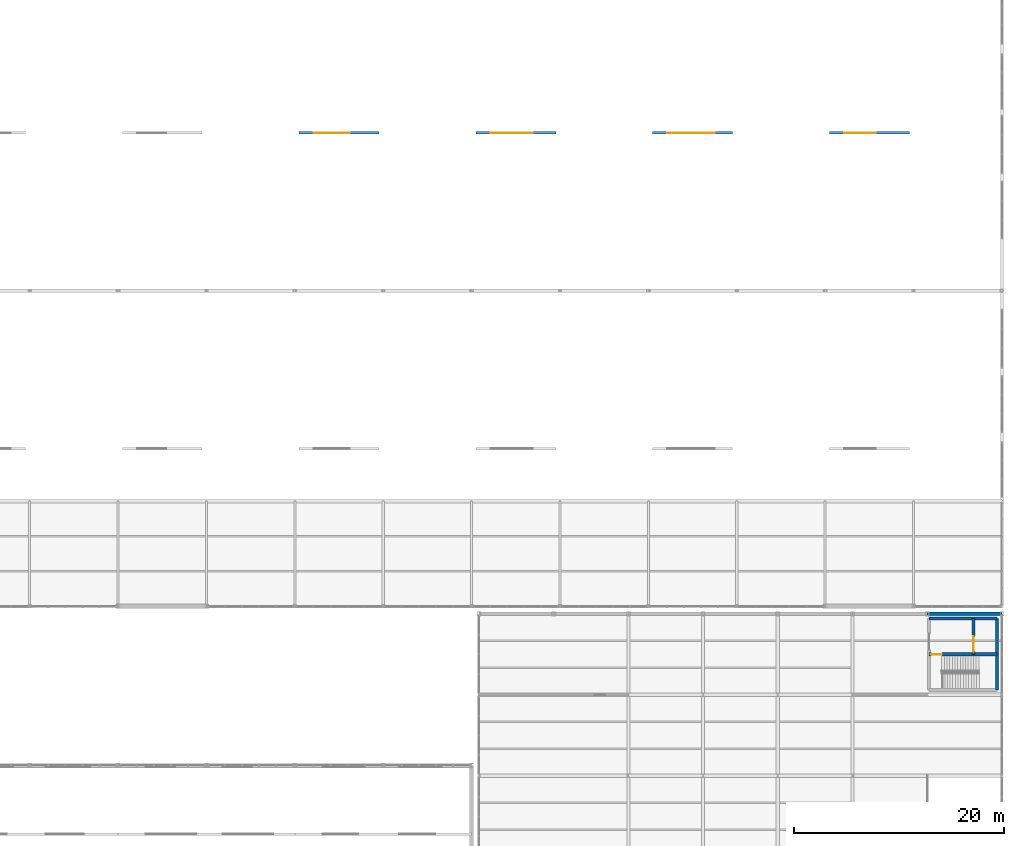
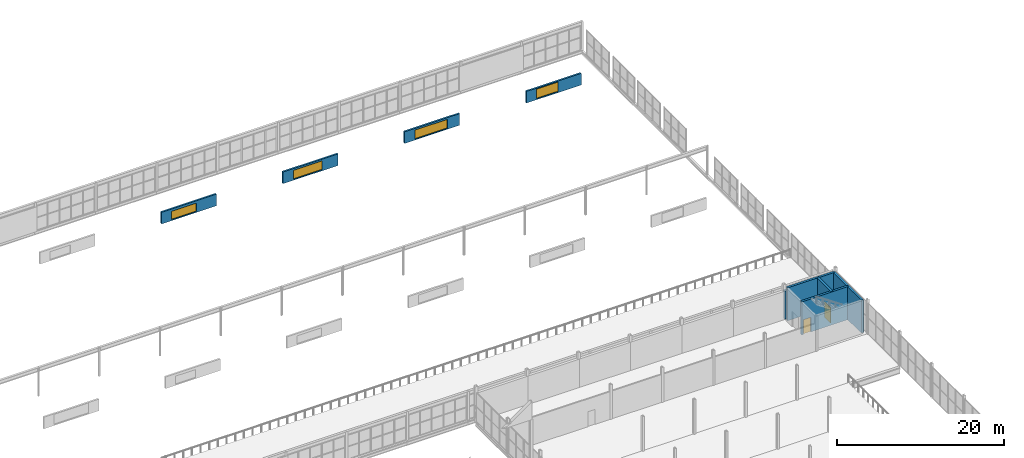
# One storey, part 208 of 218: 9 walls, 4 windows, 2 doors, 6 openings.
"""IFC4 building model written with IfcOpenShell, lengths in metres."""

from ifc_helpers import new_model, si_unit, direction, frame, frame_2d, origin, place, context, subcontext, project, spatial, rectangle, extrude, material, layer, layer_set, type_object, element, fill, save


model = new_model("IFC4")

# Units and contexts
model_context = context("Model", 3, precision=1e-05, world=origin(), true_north=direction((0.0, 1.0)))
body_context = subcontext(model_context, "Body", "Model", "MODEL_VIEW")
ifc_project = project(units=[si_unit("LENGTHUNIT", "METRE"), si_unit("AREAUNIT", "SQUARE_METRE"), si_unit("VOLUMEUNIT", "CUBIC_METRE"), si_unit("PLANEANGLEUNIT", "RADIAN"), si_unit("MASSUNIT", "GRAM", prefix="KILO")], contexts=[model_context])

# Site, building, storey
site_placement = place(None, origin())
site = spatial("IfcSite", under=ifc_project, at=site_placement, CompositionType="ELEMENT")
building_placement = place(site_placement, origin())
building = spatial("IfcBuilding", under=site, at=building_placement, Name="Kazenagashi Tramway Depot", CompositionType="ELEMENT")
storey_placement = place(building_placement, frame((0.0, 0.0, 6.0)))
storey = spatial("IfcBuildingStorey", under=building, at=storey_placement, Name="L02", CompositionType="ELEMENT", Elevation=6.0)

# Wall
ifc_material_1 = material(Name="Clay Brick Masonry JIS R 1250 Class 1 (20 MPa)", Category="masonry")
ifc_layer_1 = layer(ifc_material_1, 0.36)
ifc_layer_set_1 = layer_set([ifc_layer_1], Name="Clay Brick Masonry JIS R 1250 Class 1 (20 MPa)")
wall_type_1 = type_object("IfcWallType", Name="W-BK2", PredefinedType="SOLIDWALL", material=ifc_layer_set_1)
wall_1_placement = place(storey_placement, frame((188.9, 69.3, 0.0), z_axis=(0.0, 0.0, 1.0), x_axis=(1.0, 0.0, 0.0)))
element("IfcWall", 1, at=wall_1_placement, inside=storey, type_object=wall_type_1, Name="Exterior Brick Wall W-BK2 EWALL-0343", PredefinedType="SOLIDWALL", context=body_context, shape_type="SweptSolid", body=[
    extrude(rectangle(XDim=7.1, YDim=0.36, at=frame_2d((3.55, 0.0))), origin(), (0.0, 0.0, 1.0), 4.14),
])

# Wall, opening, window
ifc_material_2 = material(Name="Galvanised Steel Sheet Insulated Monitor Wall", Category="steel")
ifc_layer_2 = layer(ifc_material_2, 0.24)
ifc_layer_set_2 = layer_set([ifc_layer_2], Name="Galvanised Steel Sheet Insulated Monitor Wall")
wall_type_2 = type_object("IfcWallType", Name="W-MN1", PredefinedType="SOLIDWALL", material=ifc_layer_set_2)
wall_2_placement = place(storey_placement, frame((129.2, 115.0, 7.1), z_axis=(0.0, 0.0, 1.0), x_axis=(1.0, 0.0, 0.0)))
wall_2 = element("IfcWall", 2, at=wall_2_placement, inside=storey, type_object=wall_type_2, Name="Exterior Brick Wall W-MN1 EWALL-0064", PredefinedType="SOLIDWALL", context=body_context, shape_type="SweptSolid", body=[
    extrude(rectangle(XDim=7.6, YDim=0.24, at=frame_2d((3.8, 0.0))), origin(), (0.0, 0.0, 1.0), 1.7),
])
opening_1_placement = place(wall_2_placement, frame((1.4, 0.0, 0.15)))
opening_1 = element("IfcOpeningElement", 3, at=opening_1_placement, cuts=wall_2, Name="Opening SK-06", PredefinedType="OPENING", context=body_context, shape_type="SweptSolid", body=[
    extrude(rectangle(XDim=3.4, YDim=1.2, at=frame_2d((1.7, 0.6))), frame((0.0, 0.13, 0.0), z_axis=(0.0, -1.0, 0.0), x_axis=(1.0, 0.0, 0.0)), (0.0, 0.0, 1.0), 0.26),
])
ifc_material_3 = material(Name="Wired Fire-Rated Glass and Aluminium Frame", Category="aluminium")
window_type_1 = type_object("IfcWindowType", Name="SK-06", PartitioningType="SINGLE_PANEL", PredefinedType="SKYLIGHT", material=ifc_material_3)
window_1_placement = place(opening_1_placement, origin())
window_1 = element("IfcWindow", 4, at=window_1_placement, inside=storey, type_object=window_type_1, Name="Window SK-06 WIN-0041", OverallHeight=1.2, OverallWidth=3.4, PartitioningType="SINGLE_PANEL", PredefinedType="SKYLIGHT", context=body_context, shape_type="SweptSolid", body=[
    extrude(rectangle(XDim=3.4, YDim=1.2, at=frame_2d((1.7, 0.6))), frame((0.0, 0.03, 0.0), z_axis=(0.0, -1.0, 0.0), x_axis=(1.0, 0.0, 0.0)), (0.0, 0.0, 1.0), 0.06),
])
fill(opening_1, window_1)

wall_3_placement = place(storey_placement, frame((146.0, 115.0, 7.1), z_axis=(0.0, 0.0, 1.0), x_axis=(1.0, 0.0, 0.0)))
wall_3 = element("IfcWall", 5, at=wall_3_placement, inside=storey, type_object=wall_type_2, Name="Exterior Brick Wall W-MN1 EWALL-0065", PredefinedType="SOLIDWALL", context=body_context, shape_type="SweptSolid", body=[
    extrude(rectangle(XDim=7.6, YDim=0.24, at=frame_2d((3.8, 0.0))), origin(), (0.0, 0.0, 1.0), 1.7),
])
opening_2_placement = place(wall_3_placement, frame((1.4, 0.0, 0.15)))
opening_2 = element("IfcOpeningElement", 6, at=opening_2_placement, cuts=wall_3, Name="Opening SK-07", PredefinedType="OPENING", context=body_context, shape_type="SweptSolid", body=[
    extrude(rectangle(XDim=4.0, YDim=1.3, at=frame_2d((2.0, 0.65))), frame((0.0, 0.13, 0.0), z_axis=(0.0, -1.0, 0.0), x_axis=(1.0, 0.0, 0.0)), (0.0, 0.0, 1.0), 0.26),
])
window_type_2 = type_object("IfcWindowType", Name="SK-07", PartitioningType="SINGLE_PANEL", PredefinedType="SKYLIGHT", material=ifc_material_3)
window_2_placement = place(opening_2_placement, origin())
window_2 = element("IfcWindow", 7, at=window_2_placement, inside=storey, type_object=window_type_2, Name="Window SK-07 WIN-0042", OverallHeight=1.3, OverallWidth=4.0, PartitioningType="SINGLE_PANEL", PredefinedType="SKYLIGHT", context=body_context, shape_type="SweptSolid", body=[
    extrude(rectangle(XDim=4.0, YDim=1.3, at=frame_2d((2.0, 0.65))), frame((0.0, 0.03, 0.0), z_axis=(0.0, -1.0, 0.0), x_axis=(1.0, 0.0, 0.0)), (0.0, 0.0, 1.0), 0.06),
])
fill(opening_2, window_2)

wall_4_placement = place(storey_placement, frame((162.8, 115.0, 7.1), z_axis=(0.0, 0.0, 1.0), x_axis=(1.0, 0.0, 0.0)))
wall_4 = element("IfcWall", 8, at=wall_4_placement, inside=storey, type_object=wall_type_2, Name="Exterior Brick Wall W-MN1 EWALL-0066", PredefinedType="SOLIDWALL", context=body_context, shape_type="SweptSolid", body=[
    extrude(rectangle(XDim=7.6, YDim=0.24, at=frame_2d((3.8, 0.0))), origin(), (0.0, 0.0, 1.0), 1.7),
])
opening_3_placement = place(wall_4_placement, frame((1.4, 0.0, 0.15)))
opening_3 = element("IfcOpeningElement", 9, at=opening_3_placement, cuts=wall_4, Name="Opening SK-08", PredefinedType="OPENING", context=body_context, shape_type="SweptSolid", body=[
    extrude(rectangle(XDim=4.5, YDim=1.3, at=frame_2d((2.25, 0.65))), frame((0.0, 0.13, 0.0), z_axis=(0.0, -1.0, 0.0), x_axis=(1.0, 0.0, 0.0)), (0.0, 0.0, 1.0), 0.26),
])
window_type_3 = type_object("IfcWindowType", Name="SK-08", PartitioningType="SINGLE_PANEL", PredefinedType="SKYLIGHT", material=ifc_material_3)
window_3_placement = place(opening_3_placement, origin())
window_3 = element("IfcWindow", 10, at=window_3_placement, inside=storey, type_object=window_type_3, Name="Window SK-08 WIN-0043", OverallHeight=1.3, OverallWidth=4.5, PartitioningType="SINGLE_PANEL", PredefinedType="SKYLIGHT", context=body_context, shape_type="SweptSolid", body=[
    extrude(rectangle(XDim=4.5, YDim=1.3, at=frame_2d((2.25, 0.65))), frame((0.0, 0.03, 0.0), z_axis=(0.0, -1.0, 0.0), x_axis=(1.0, 0.0, 0.0)), (0.0, 0.0, 1.0), 0.06),
])
fill(opening_3, window_3)

wall_5_placement = place(storey_placement, frame((179.6, 115.0, 7.1), z_axis=(0.0, 0.0, 1.0), x_axis=(1.0, 0.0, 0.0)))
wall_5 = element("IfcWall", 11, at=wall_5_placement, inside=storey, type_object=wall_type_2, Name="Exterior Brick Wall W-MN1 EWALL-0067", PredefinedType="SOLIDWALL", context=body_context, shape_type="SweptSolid", body=[
    extrude(rectangle(XDim=7.6, YDim=0.24, at=frame_2d((3.8, 0.0))), origin(), (0.0, 0.0, 1.0), 1.7),
])
opening_4_placement = place(wall_5_placement, frame((1.4, 0.0, 0.15)))
opening_4 = element("IfcOpeningElement", 12, at=opening_4_placement, cuts=wall_5, Name="Opening SK-01", PredefinedType="OPENING", context=body_context, shape_type="SweptSolid", body=[
    extrude(rectangle(XDim=3.0, YDim=1.4, at=frame_2d((1.5, 0.7))), frame((0.0, 0.13, 0.0), z_axis=(0.0, -1.0, 0.0), x_axis=(1.0, 0.0, 0.0)), (0.0, 0.0, 1.0), 0.26),
])
window_type_4 = type_object("IfcWindowType", Name="SK-01", PartitioningType="SINGLE_PANEL", PredefinedType="SKYLIGHT", material=ifc_material_3)
window_4_placement = place(opening_4_placement, origin())
window_4 = element("IfcWindow", 13, at=window_4_placement, inside=storey, type_object=window_type_4, Name="Window SK-01 WIN-0044", OverallHeight=1.4, OverallWidth=3.0, PartitioningType="SINGLE_PANEL", PredefinedType="SKYLIGHT", context=body_context, shape_type="SweptSolid", body=[
    extrude(rectangle(XDim=3.0, YDim=1.4, at=frame_2d((1.5, 0.7))), frame((0.0, 0.03, 0.0), z_axis=(0.0, -1.0, 0.0), x_axis=(1.0, 0.0, 0.0)), (0.0, 0.0, 1.0), 0.06),
])
fill(opening_4, window_4)

# Walls
ifc_material_4 = material(Name="Concrete Fc36", Category="concrete")
ifc_layer_3 = layer(ifc_material_4, 0.3)
ifc_layer_set_3 = layer_set([ifc_layer_3], Name="Concrete Fc36")
wall_type_3 = type_object("IfcWallType", Name="W-RC1", PredefinedType="SHEAR", material=ifc_layer_set_3)
wall_6_placement = place(storey_placement, frame((189.06, 68.84, 0.0), z_axis=(0.0, 0.0, 1.0), x_axis=(1.0, 0.0, 0.0)))
element("IfcWall", 14, at=wall_6_placement, inside=storey, type_object=wall_type_3, Name="Core Shear Wall W-RC1 IWALL-0206", PredefinedType="SHEAR", context=body_context, shape_type="SweptSolid", body=[
    extrude(rectangle(XDim=6.48, YDim=0.3, at=frame_2d((3.24, 0.0))), origin(), (0.0, 0.0, 1.0), 4.82),
])
wall_7_placement = place(storey_placement, frame((195.54, 62.06, 0.0), z_axis=(0.0, 0.0, 1.0), x_axis=(0.0, 1.0, 0.0)))
element("IfcWall", 15, at=wall_7_placement, inside=storey, type_object=wall_type_3, Name="Core Shear Wall W-RC1 IWALL-0208", PredefinedType="SHEAR", context=body_context, shape_type="SweptSolid", body=[
    extrude(rectangle(XDim=6.78, YDim=0.3, at=frame_2d((3.39, 0.0))), origin(), (0.0, 0.0, 1.0), 4.82),
])

# Wall, opening, door
wall_8_placement = place(storey_placement, frame((189.06, 65.45, 0.0), z_axis=(0.0, 0.0, 1.0), x_axis=(1.0, 0.0, 0.0)))
wall_8 = element("IfcWall", 16, at=wall_8_placement, inside=storey, type_object=wall_type_3, Name="Core Shear Wall W-RC1 IWALL-0209", PredefinedType="SHEAR", context=body_context, shape_type="SweptSolid", body=[
    extrude(rectangle(XDim=6.48, YDim=0.3, at=frame_2d((3.24, 0.0))), origin(), (0.0, 0.0, 1.0), 4.82),
])
opening_5_placement = place(wall_8_placement, frame((0.185, 0.0, 0.0)))
opening_5 = element("IfcOpeningElement", 17, at=opening_5_placement, cuts=wall_8, Name="Opening D-118", PredefinedType="OPENING", context=body_context, shape_type="SweptSolid", body=[
    extrude(rectangle(XDim=1.05, YDim=2.15, at=frame_2d((0.525, 1.075))), frame((0.0, 0.16, 0.0), z_axis=(0.0, -1.0, 0.0), x_axis=(1.0, 0.0, 0.0)), (0.0, 0.0, 1.0), 0.32),
])
ifc_material_5 = material(Name="Galvanised Fire-Rated Steel Door", Category="steel")
door_type_1 = type_object("IfcDoorType", Name="DT-07", OperationType="NOTDEFINED", PredefinedType="DOOR", material=ifc_material_5)
door_1_placement = place(opening_5_placement, origin())
door_1 = element("IfcDoor", 18, at=door_1_placement, inside=storey, type_object=door_type_1, Name="Interior Door D-118", OperationType="SINGLE_SWING_LEFT", OverallHeight=2.15, OverallWidth=1.05, PredefinedType="DOOR", context=body_context, shape_type="SweptSolid", body=[
    extrude(rectangle(XDim=1.05, YDim=2.15, at=frame_2d((0.525, 1.075))), frame((0.0, 0.025, 0.0), z_axis=(0.0, -1.0, 0.0), x_axis=(1.0, 0.0, 0.0)), (0.0, 0.0, 1.0), 0.05),
])
fill(opening_5, door_1)

wall_9_placement = place(storey_placement, frame((193.29, 65.45, 0.0), z_axis=(0.0, 0.0, 1.0), x_axis=(0.0, 1.0, 0.0)))
wall_9 = element("IfcWall", 19, at=wall_9_placement, inside=storey, type_object=wall_type_3, Name="Core Shear Wall W-RC1 IWALL-0210", PredefinedType="SHEAR", context=body_context, shape_type="SweptSolid", body=[
    extrude(rectangle(XDim=3.39, YDim=0.3, at=frame_2d((1.695, 0.0))), origin(), (0.0, 0.0, 1.0), 4.82),
])
opening_6_placement = place(wall_9_placement, frame((0.25, 0.0, 0.0)))
opening_6 = element("IfcOpeningElement", 20, at=opening_6_placement, cuts=wall_9, Name="Opening LD-28", PredefinedType="OPENING", context=body_context, shape_type="SweptSolid", body=[
    extrude(rectangle(XDim=1.45, YDim=2.25, at=frame_2d((0.725, 1.125))), frame((0.0, 0.16, 0.0), z_axis=(0.0, -1.0, 0.0), x_axis=(1.0, 0.0, 0.0)), (0.0, 0.0, 1.0), 0.32),
])
ifc_material_6 = material(Name="Brushed Stainless Steel Landing Door", Category="steel")
door_type_2 = type_object("IfcDoorType", Name="DT-32", OperationType="NOTDEFINED", PredefinedType="DOOR", material=ifc_material_6)
door_2_placement = place(opening_6_placement, origin())
door_2 = element("IfcDoor", 21, at=door_2_placement, inside=storey, type_object=door_type_2, Name="Lift Sliding Landing Door LD-28", OperationType="SLIDING_TO_RIGHT", OverallHeight=2.25, OverallWidth=1.45, PredefinedType="DOOR", context=body_context, shape_type="SweptSolid", body=[
    extrude(rectangle(XDim=1.45, YDim=2.25, at=frame_2d((0.725, 1.125))), frame((0.0, 0.025, 0.0), z_axis=(0.0, -1.0, 0.0), x_axis=(1.0, 0.0, 0.0)), (0.0, 0.0, 1.0), 0.05),
])
fill(opening_6, door_2)

save(model, "model.ifc")
